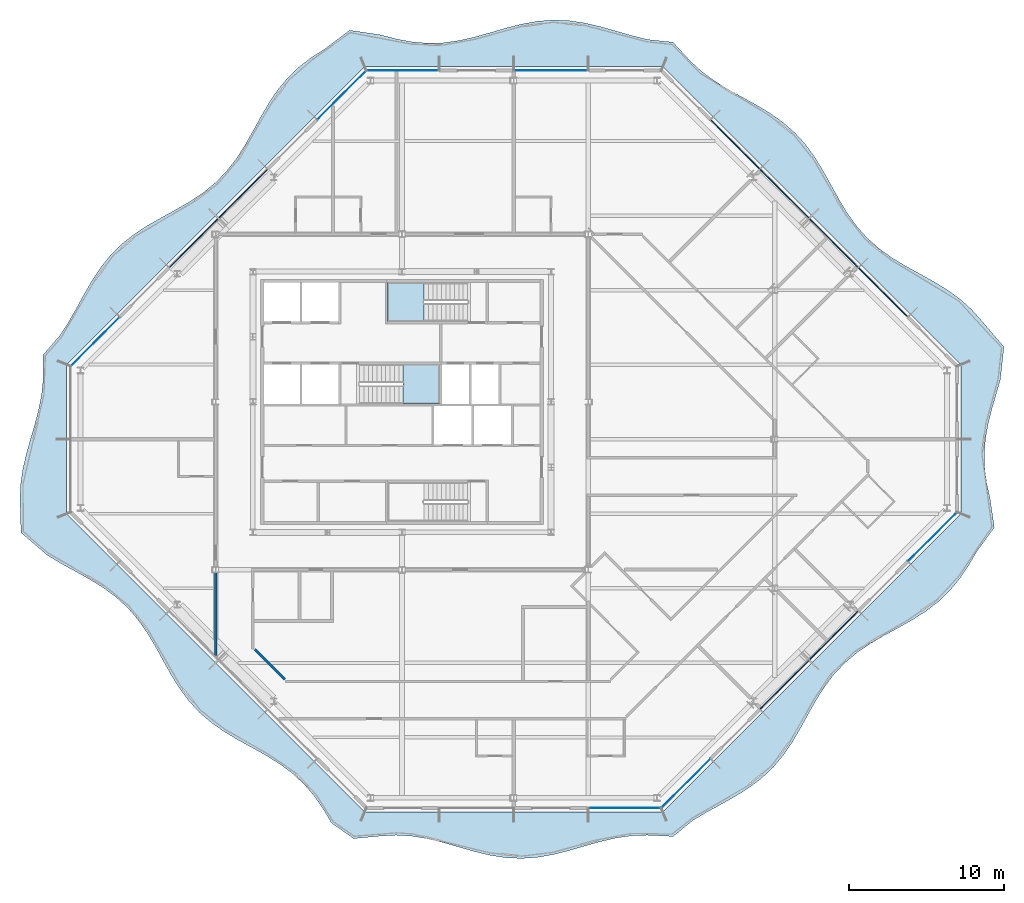
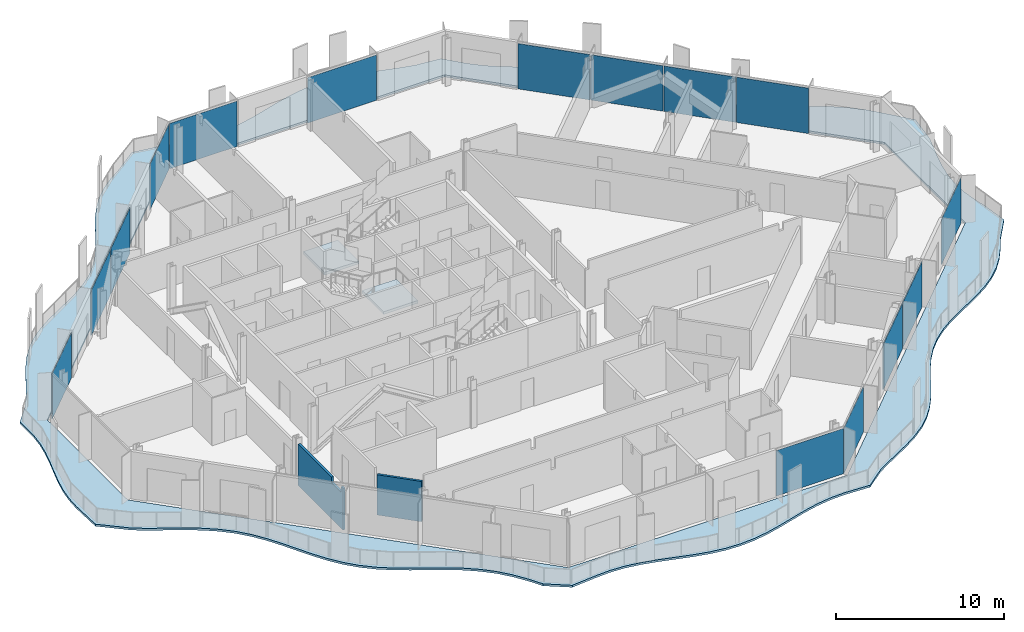
# One storey, part 6 of 17: 15 plates, 3 slabs, 2 walls, 7 elements without a shape of their own.
"""IFC4 building model written with IfcOpenShell, lengths in metres."""

from ifc_helpers import new_model, si_unit, direction, frame, frame_2d, origin, origin_2d, place, context, subcontext, project, spatial, polyline, rectangle, outline, extrude, material, layer, layer_set, type_object, element, aggregate, save


model = new_model("IFC4")

# Units and contexts
model_context = context("Model", 3, precision=1e-05, world=origin(), true_north=direction((0.0, 1.0)))
body_context = subcontext(model_context, "Body", "Model", "MODEL_VIEW")
ifc_project = project(units=[si_unit("LENGTHUNIT", "METRE"), si_unit("AREAUNIT", "SQUARE_METRE"), si_unit("VOLUMEUNIT", "CUBIC_METRE"), si_unit("PLANEANGLEUNIT", "RADIAN"), si_unit("MASSUNIT", "GRAM", prefix="KILO")], contexts=[model_context])

# Site, building, storey
site_placement = place(None, origin())
site = spatial("IfcSite", under=ifc_project, at=site_placement, CompositionType="ELEMENT")
building_placement = place(site_placement, origin())
building = spatial("IfcBuilding", under=site, at=building_placement, Name="Cairn Pilgrim Tower", CompositionType="ELEMENT")
storey_placement = place(building_placement, frame((0.0, 0.0, 239.39990234375)))
storey = spatial("IfcBuildingStorey", under=building, at=storey_placement, Name="L61", CompositionType="ELEMENT", Elevation=239.39990234375)

# Slab
ifc_material_1 = material(Name="Concrete C35/45", Category="concrete")
ifc_layer_1 = layer(ifc_material_1, 0.14990234375)
ifc_layer_set_1 = layer_set([ifc_layer_1], Name="BALCONY SLAB 150 CONCRETE C35/45")
slab_type_1 = type_object("IfcSlabType", Name="BALCONY SLAB 150 CONCRETE C35/45", PredefinedType="FLOOR", material=ifc_layer_set_1)
slab_1_placement = place(storey_placement, frame((0.0, 0.0, -0.14990234375)))
element("IfcSlab", 1, at=slab_1_placement, inside=storey, type_object=slab_type_1, Name="Balcony slab BS-1", PredefinedType="FLOOR", context=body_context, shape_type="SweptSolid", body=[
    extrude(outline(polyline([(2.66064453125, -24.71728515625), (4.087646484375, -25.7197265625), (5.810546875, -25.555908203125), (6.821044921875, -25.5), (7.83154296875, -25.560791015625), (8.842041015625, -25.728515625), (9.8525390625, -25.977294921875), (10.863037109375, -26.2685546875), (11.873779296875, -26.556884765625), (12.88427734375, -26.797607421875), (13.894775390625, -26.953125), (14.9052734375, -26.999267578125), (15.915771484375, -26.92919921875), (16.92626953125, -26.75341796875), (17.936767578125, -26.499267578125), (18.947265625, -26.20654296875), (19.9580078125, -25.920654296875), (20.968505859375, -25.685791015625), (21.97900390625, -25.53857421875), (22.989501953125, -25.501953125), (24.6552734375, -25.581787109375), (25.95849609375, -24.536376953125), (26.8515625, -24.007080078125), (27.76953125, -23.502685546875), (28.680419921875, -22.991455078125), (29.5537109375, -22.442626953125), (30.3642578125, -21.830810546875), (31.0966796875, -21.14111328125), (31.748046875, -20.370361328125), (32.327392578125, -19.52734375), (32.854736328125, -18.632568359375), (33.358642578125, -17.71435546875), (33.87109375, -16.804443359375), (34.42236328125, -15.93359375), (35.037353515625, -15.126220703125), (35.730712890625, -14.397216796875), (36.505126953125, -13.74951171875), (37.350830078125, -13.173095703125), (38.247314453125, -12.6474609375), (39.166015625, -12.143798828125), (40.07470703125, -11.63037109375), (40.943115234375, -11.07666015625), (41.747314453125, -10.458251953125), (42.472412109375, -9.76123046875), (43.11669921875, -8.9833984375), (43.690185546875, -8.134765625), (44.21435546875, -7.236572265625), (45.346435546875, -5.68896484375), (45.080322265625, -3.840087890625), (44.865966796875, -2.8798828125), (44.73388671875, -1.919921875), (44.7021484375, -0.9599609375), (44.775634765625, 0.0), (44.943603515625, 0.9599609375), (45.182861328125, 1.919921875), (45.459716796875, 2.8798828125), (45.735107421875, 3.840087890625), (45.970458984375, 5.947509765625), (44.56640625, 7.588623046875), (43.89892578125, 8.343505859375), (43.14990234375, 9.0166015625), (42.3251953125, 9.614013671875), (41.44189453125, 10.153076171875), (40.527099609375, 10.660400390625), (39.61181640625, 11.167236328125), (38.727294921875, 11.705078125), (37.900634765625, 12.30078125), (37.149658203125, 12.9716796875), (36.47998046875, 13.724365234375), (35.8857421875, 14.552490234375), (35.3486328125, 15.4375), (34.842041015625, 16.353271484375), (34.33447265625, 17.267822265625), (33.794677734375, 18.150146484375), (33.19580078125, 18.9736328125), (32.521240234375, 19.72119140625), (31.764892578125, 20.38720703125), (30.933837890625, 20.978271484375), (30.046630859375, 21.513427734375), (29.13037109375, 22.019287109375), (28.216552734375, 22.527587890625), (27.33642578125, 23.06982421875), (26.51611328125, 23.671630859375), (25.772216796875, 24.349853515625), (24.650146484375, 25.569580078125), (22.989501953125, 25.744384765625), (21.97900390625, 25.997802734375), (20.968505859375, 26.29052734375), (19.9580078125, 26.57666015625), (18.947265625, 26.812255859375), (17.936767578125, 26.96044921875), (16.92626953125, 26.998046875), (15.915771484375, 26.919677734375), (14.9052734375, 26.737060546875), (13.894775390625, 26.478759765625), (12.88427734375, 26.184814453125), (11.873779296875, 25.901123046875), (10.863037109375, 25.671630859375), (9.8525390625, 25.531982421875), (8.842041015625, 25.50390625), (7.83154296875, 25.592041015625), (6.821044921875, 25.7822265625), (5.810546875, 26.045166015625), (3.830810546875, 26.33984375), (2.236572265625, 25.14111328125), (1.3681640625, 24.58740234375), (0.56396484375, 23.96923828125), (-0.161376953125, 23.2724609375), (-0.8056640625, 22.49462890625), (-1.37939453125, 21.64599609375), (-1.903564453125, 20.748046875), (-2.406982421875, 19.8291015625), (-2.921630859375, 18.921630859375), (-3.477783203125, 18.055419921875), (-4.09912109375, 17.254638671875), (-4.7998046875, 16.532958984375), (-5.5810546875, 15.89208984375), (-6.432373046875, 15.3212890625), (-7.33203125, 14.798583984375), (-8.2509765625, 14.29541015625), (-9.1572265625, 13.779541015625), (-10.02099609375, 13.220947265625), (-10.818359375, 12.59619140625), (-11.536376953125, 11.891845703125), (-12.173828125, 11.107177734375), (-12.741943359375, 10.253173828125), (-13.262939453125, 9.351806640625), (-13.76611328125, 8.432861328125), (-14.283203125, 7.52783203125), (-14.844482421875, 6.666748046875), (-15.9169921875, 5.42822265625), (-15.91015625, 3.840087890625), (-16.00732421875, 2.8798828125), (-16.194580078125, 1.919921875), (-16.446044921875, 0.9599609375), (-16.72607421875, 0.0), (-16.995361328125, -0.9599609375), (-17.21630859375, -1.919921875), (-17.357421875, -2.8798828125), (-17.3994140625, -3.840087890625), (-17.336181640625, -6.01611328125), (-15.645263671875, -7.467529296875), (-14.758056640625, -8.002685546875), (-13.841796875, -8.508544921875), (-12.927978515625, -9.016845703125), (-12.0478515625, -9.558837890625), (-11.227294921875, -10.16064453125), (-10.4833984375, -10.8388671875), (-9.82080078125, -11.5986328125), (-9.232421875, -12.432373046875), (-8.69921875, -13.321533203125), (-8.19384765625, -14.23828125), (-7.684814453125, -15.1513671875), (-7.140625, -16.029296875), (-6.53564453125, -16.8466796875), (-5.853759765625, -17.587158203125), (-5.09033203125, -18.24609375), (-4.253662109375, -18.831298828125), (-3.362548828125, -19.362548828125), (-2.4453125, -19.867431640625), (-1.533203125, -20.377685546875), (-0.657470703125, -20.924072265625), (0.15673828125, -21.5322265625), (0.8935546875, -22.2177734375), (1.548828125, -22.984619140625), (2.131103515625, -23.824462890625), (2.66064453125, -24.71728515625)]), holes=[polyline([(24.0, -24.0), (4.800048828125, -24.0), (-14.39990234375, -4.800048828125), (-14.39990234375, 4.800048828125), (4.800048828125, 24.0), (24.0, 24.0), (43.199951171875, 4.800048828125), (43.199951171875, -4.800048828125), (24.0, -24.0)])]), origin(), (0.0, 0.0, 1.0), 0.14990234375),
])

# Curtain wall, plates
ifc_material_2 = material(Name="Aluminium alloy 6063-T6 bronze anodised with Bronze tinted laminated low-E glass 8+16+8.8", Category="aluminium")
curtain_wall_type_1 = type_object("IfcCurtainWallType", Name="CHAMFER CORNER CURTAIN WALL", PredefinedType="NOTDEFINED", material=ifc_material_2)
curtain_wall_1_placement = place(storey_placement, origin())
curtain_wall_1 = element("IfcCurtainWall", 2, at=curtain_wall_1_placement, inside=storey, type_object=curtain_wall_type_1, Name="Chamfer Corner Curtain Wall SE", PredefinedType="NOTDEFINED")
ifc_material_3 = material(Name="Bronze anodised aluminium spandrel panel with mineral wool insulation", Category="aluminium")
ifc_layer_2 = layer(ifc_material_3, 0.06005859375)
ifc_layer_set_2 = layer_set([ifc_layer_2], Name="SPANDREL PANEL 4431x3300")
plate_type_1 = type_object("IfcPlateType", Name="SPANDREL PANEL 4431x3300", PredefinedType="CURTAIN_PANEL", material=ifc_layer_set_2)
plate_1_placement = place(storey_placement, frame((31.83544921875, -15.81103515625, 0.0), z_axis=(0.0, 0.0, 1.0), x_axis=(0.707106781187, 0.707106781187, 0.0)))
plate_1 = element("IfcPlate", 3, at=plate_1_placement, type_object=plate_type_1, Name="Spandrel Panel SE3-1", PredefinedType="CURTAIN_PANEL", context=body_context, shape_type="SweptSolid", body=[
    extrude(rectangle(XDim=4.430908203125, YDim=0.06005859375, at=origin_2d()), origin(), (0.0, 0.0, 1.0), 3.300048828125),
])
plate_2_placement = place(storey_placement, frame((35.010986328125, -12.635498046875, 0.0), z_axis=(0.0, 0.0, 1.0), x_axis=(0.707106781187, 0.707106781187, 0.0)))
plate_2 = element("IfcPlate", 4, at=plate_2_placement, type_object=plate_type_1, Name="Spandrel Panel SE4-1", PredefinedType="CURTAIN_PANEL", context=body_context, shape_type="SweptSolid", body=[
    extrude(rectangle(XDim=4.430908203125, YDim=0.06005859375, at=origin_2d()), origin(), (0.0, 0.0, 1.0), 3.300048828125),
])

curtain_wall_2_placement = place(storey_placement, origin())
curtain_wall_2 = element("IfcCurtainWall", 5, at=curtain_wall_2_placement, inside=storey, type_object=curtain_wall_type_1, Name="Chamfer Corner Curtain Wall NE", PredefinedType="NOTDEFINED")
plate_3_placement = place(storey_placement, frame((38.1865234375, 9.459716796875, 0.0), z_axis=(0.0, 0.0, 1.0), x_axis=(-0.707106781187, 0.707106781187, 0.0)))
plate_3 = element("IfcPlate", 6, at=plate_3_placement, type_object=plate_type_1, Name="Spandrel Panel NE2-1", PredefinedType="CURTAIN_PANEL", context=body_context, shape_type="SweptSolid", body=[
    extrude(rectangle(XDim=4.430908203125, YDim=0.06005859375, at=origin_2d()), origin(), (0.0, 0.0, 1.0), 3.300048828125),
])
plate_4_placement = place(storey_placement, frame((35.010986328125, 12.635498046875, 0.0), z_axis=(0.0, 0.0, 1.0), x_axis=(-0.707106781187, 0.707106781187, 0.0)))
plate_4 = element("IfcPlate", 7, at=plate_4_placement, type_object=plate_type_1, Name="Spandrel Panel NE3-1", PredefinedType="CURTAIN_PANEL", context=body_context, shape_type="SweptSolid", body=[
    extrude(rectangle(XDim=4.430908203125, YDim=0.06005859375, at=origin_2d()), origin(), (0.0, 0.0, 1.0), 3.300048828125),
])
plate_5_placement = place(storey_placement, frame((31.83544921875, 15.81103515625, 0.0), z_axis=(0.0, 0.0, 1.0), x_axis=(-0.707106781187, 0.707106781187, 0.0)))
plate_5 = element("IfcPlate", 8, at=plate_5_placement, type_object=plate_type_1, Name="Spandrel Panel NE4-1", PredefinedType="CURTAIN_PANEL", context=body_context, shape_type="SweptSolid", body=[
    extrude(rectangle(XDim=4.430908203125, YDim=0.06005859375, at=origin_2d()), origin(), (0.0, 0.0, 1.0), 3.300048828125),
])
plate_6_placement = place(storey_placement, frame((28.659912109375, 18.986572265625, 0.0), z_axis=(0.0, 0.0, 1.0), x_axis=(-0.707106781187, 0.707106781187, 0.0)))
plate_6 = element("IfcPlate", 9, at=plate_6_placement, type_object=plate_type_1, Name="Spandrel Panel NE5-1", PredefinedType="CURTAIN_PANEL", context=body_context, shape_type="SweptSolid", body=[
    extrude(rectangle(XDim=4.430908203125, YDim=0.06005859375, at=origin_2d()), origin(), (0.0, 0.0, 1.0), 3.300048828125),
])
aggregate(curtain_wall_2, [plate_3, plate_4, plate_5, plate_6])

curtain_wall_3_placement = place(storey_placement, origin())
curtain_wall_3 = element("IfcCurtainWall", 10, at=curtain_wall_3_placement, inside=storey, type_object=curtain_wall_type_1, Name="Chamfer Corner Curtain Wall NW", PredefinedType="NOTDEFINED")
plate_7_placement = place(storey_placement, frame((-3.035400390625, 15.81103515625, 0.0), z_axis=(0.0, 0.0, 1.0), x_axis=(-0.707106781187, -0.707106781187, 0.0)))
plate_7 = element("IfcPlate", 11, at=plate_7_placement, type_object=plate_type_1, Name="Spandrel Panel NW3-1", PredefinedType="CURTAIN_PANEL", context=body_context, shape_type="SweptSolid", body=[
    extrude(rectangle(XDim=4.430908203125, YDim=0.06005859375, at=origin_2d()), origin(), (0.0, 0.0, 1.0), 3.300048828125),
])
plate_8_placement = place(storey_placement, frame((-6.2109375, 12.635498046875, 0.0), z_axis=(0.0, 0.0, 1.0), x_axis=(-0.707106781187, -0.707106781187, 0.0)))
plate_8 = element("IfcPlate", 12, at=plate_8_placement, type_object=plate_type_1, Name="Spandrel Panel NW4-1", PredefinedType="CURTAIN_PANEL", context=body_context, shape_type="SweptSolid", body=[
    extrude(rectangle(XDim=4.430908203125, YDim=0.06005859375, at=origin_2d()), origin(), (0.0, 0.0, 1.0), 3.300048828125),
])

# Stair, slab
ifc_material_4 = material(Name="Concrete C32/40", Category="concrete")
stair_type = type_object("IfcStairType", Name="EXIT STAIR 1200", PredefinedType="HALF_TURN_STAIR", material=ifc_material_4)
stair_1_placement = place(storey_placement, origin())
stair_1 = element("IfcStair", 13, at=stair_1_placement, inside=storey, type_object=stair_type, Name="L61 Exit Stair B", PredefinedType="HALF_TURN_STAIR")
ifc_layer_3 = layer(ifc_material_4, 0.199951171875)
ifc_layer_set_3 = layer_set([ifc_layer_3], Name="STAIR LANDING 200")
slab_type_2 = type_object("IfcSlabType", Name="STAIR LANDING 200", PredefinedType="LANDING", material=ifc_layer_set_3)
slab_2_placement = place(storey_placement, frame((0.0, 0.0, 1.60009765625)))
slab_2 = element("IfcSlab", 14, at=slab_2_placement, type_object=slab_type_2, Name="ST-B landing 1", PredefinedType="LANDING", context=body_context, shape_type="SweptSolid", body=[
    extrude(outline(polyline([(7.27490234375, 2.27490234375), (9.625, 2.27490234375), (9.625, 4.824951171875), (7.27490234375, 4.824951171875), (7.27490234375, 2.27490234375)])), origin(), (0.0, 0.0, 1.0), 0.199951171875),
])
aggregate(stair_1, [slab_2])

stair_2_placement = place(storey_placement, origin())
stair_2 = element("IfcStair", 15, at=stair_2_placement, inside=storey, type_object=stair_type, Name="L61 Exit Stair C", PredefinedType="HALF_TURN_STAIR")
slab_3_placement = place(storey_placement, frame((0.0, 0.0, 1.60009765625)))
slab_3 = element("IfcSlab", 16, at=slab_3_placement, type_object=slab_type_2, Name="ST-C landing 1", PredefinedType="LANDING", context=body_context, shape_type="SweptSolid", body=[
    extrude(outline(polyline([(8.625, 10.10009765625), (6.27490234375, 10.10009765625), (6.27490234375, 7.574951171875), (8.625, 7.574951171875), (8.625, 10.10009765625)])), origin(), (0.0, 0.0, 1.0), 0.199951171875),
])
aggregate(stair_2, [slab_3])

# Plate
ifc_material_5 = material(Name="Bronze tinted laminated low-E glass 8+16+8.8", Category="glass")
ifc_layer_4 = layer(ifc_material_5, 0.033935546875)
ifc_layer_set_4 = layer_set([ifc_layer_4], Name="VISION GLAZING 4421x3300")
plate_type_2 = type_object("IfcPlateType", Name="VISION GLAZING 4421x3300", PredefinedType="CURTAIN_PANEL", material=ifc_layer_set_4)
plate_9_placement = place(storey_placement, frame((25.48779296875, -22.15869140625, 0.0), z_axis=(0.0, 0.0, 1.0), x_axis=(0.707106781187, 0.707106781187, 0.0)))
plate_9 = element("IfcPlate", 17, at=plate_9_placement, type_object=plate_type_2, Name="Vision Glazing SE1-1", PredefinedType="CURTAIN_PANEL", context=body_context, shape_type="SweptSolid", body=[
    extrude(rectangle(XDim=4.4208984375, YDim=0.033935546875, at=origin_2d()), origin(), (0.0, 0.0, 1.0), 3.300048828125),
])

plate_10_placement = place(storey_placement, frame((41.358642578125, -6.287841796875, 0.0), z_axis=(0.0, 0.0, 1.0), x_axis=(0.707106781187, 0.707106781187, 0.0)))
plate_10 = element("IfcPlate", 18, at=plate_10_placement, type_object=plate_type_2, Name="Vision Glazing SE6-1", PredefinedType="CURTAIN_PANEL", context=body_context, shape_type="SweptSolid", body=[
    extrude(rectangle(XDim=4.4208984375, YDim=0.033935546875, at=origin_2d()), origin(), (0.0, 0.0, 1.0), 3.300048828125),
])

aggregate(curtain_wall_1, [plate_9, plate_1, plate_2, plate_10])

plate_11_placement = place(storey_placement, frame((3.312255859375, 22.15869140625, 0.0), z_axis=(0.0, 0.0, 1.0), x_axis=(-0.707106781187, -0.707106781187, 0.0)))
plate_11 = element("IfcPlate", 19, at=plate_11_placement, type_object=plate_type_2, Name="Vision Glazing NW1-1", PredefinedType="CURTAIN_PANEL", context=body_context, shape_type="SweptSolid", body=[
    extrude(rectangle(XDim=4.4208984375, YDim=0.033935546875, at=origin_2d()), origin(), (0.0, 0.0, 1.0), 3.300048828125),
])

plate_12_placement = place(storey_placement, frame((-12.55859375, 6.287841796875, 0.0), z_axis=(0.0, 0.0, 1.0), x_axis=(-0.707106781187, -0.707106781187, 0.0)))
plate_12 = element("IfcPlate", 20, at=plate_12_placement, type_object=plate_type_2, Name="Vision Glazing NW6-1", PredefinedType="CURTAIN_PANEL", context=body_context, shape_type="SweptSolid", body=[
    extrude(rectangle(XDim=4.4208984375, YDim=0.033935546875, at=origin_2d()), origin(), (0.0, 0.0, 1.0), 3.300048828125),
])

aggregate(curtain_wall_3, [plate_11, plate_7, plate_8, plate_12])

# Curtain wall, plate
curtain_wall_type_2 = type_object("IfcCurtainWallType", Name="TOWER STICK CURTAIN WALL NS", PredefinedType="NOTDEFINED", material=ifc_material_2)
curtain_wall_4_placement = place(storey_placement, origin())
curtain_wall_4 = element("IfcCurtainWall", 21, at=curtain_wall_4_placement, inside=storey, type_object=curtain_wall_type_2, Name="Tower Stick Curtain Wall Ns S", PredefinedType="NOTDEFINED")
ifc_layer_5 = layer(ifc_material_5, 0.033935546875)
ifc_layer_set_5 = layer_set([ifc_layer_5], Name="VISION GLAZING 4626x3300")
plate_type_3 = type_object("IfcPlateType", Name="VISION GLAZING 4626x3300", PredefinedType="CURTAIN_PANEL", material=ifc_layer_set_5)
plate_13_placement = place(storey_placement, frame((21.543212890625, -23.75, 0.0), z_axis=(0.0, 0.0, 1.0), x_axis=(1.0, 0.0, 0.0)))
plate_13 = element("IfcPlate", 22, at=plate_13_placement, type_object=plate_type_3, Name="Vision Glazing S4-1", PredefinedType="CURTAIN_PANEL", context=body_context, shape_type="SweptSolid", body=[
    extrude(rectangle(XDim=4.62646484375, YDim=0.033935546875, at=origin_2d()), origin(), (0.0, 0.0, 1.0), 3.300048828125),
])
aggregate(curtain_wall_4, [plate_13])

# Curtain wall, plates
curtain_wall_5_placement = place(storey_placement, origin())
curtain_wall_5 = element("IfcCurtainWall", 23, at=curtain_wall_5_placement, inside=storey, type_object=curtain_wall_type_2, Name="Tower Stick Curtain Wall Ns N", PredefinedType="NOTDEFINED")
plate_14_placement = place(storey_placement, frame((7.2568359375, 23.75, 0.0), z_axis=(0.0, 0.0, 1.0), x_axis=(-1.0, 0.0, 0.0)))
plate_14 = element("IfcPlate", 24, at=plate_14_placement, type_object=plate_type_3, Name="Vision Glazing N4-1", PredefinedType="CURTAIN_PANEL", context=body_context, shape_type="SweptSolid", body=[
    extrude(rectangle(XDim=4.62646484375, YDim=0.033935546875, at=origin_2d()), origin(), (0.0, 0.0, 1.0), 3.300048828125),
])
ifc_layer_6 = layer(ifc_material_5, 0.033935546875)
ifc_layer_set_6 = layer_set([ifc_layer_6], Name="VISION GLAZING 4740x3300")
plate_type_4 = type_object("IfcPlateType", Name="VISION GLAZING 4740x3300", PredefinedType="CURTAIN_PANEL", material=ifc_layer_set_6)
plate_15_placement = place(storey_placement, frame((16.800048828125, 23.75, 0.0), z_axis=(0.0, 0.0, 1.0), x_axis=(-1.0, 0.0, 0.0)))
plate_15 = element("IfcPlate", 25, at=plate_15_placement, type_object=plate_type_4, Name="Vision Glazing N2-1", PredefinedType="CURTAIN_PANEL", context=body_context, shape_type="SweptSolid", body=[
    extrude(rectangle(XDim=4.739990234375, YDim=0.033935546875, at=origin_2d()), origin(), (0.0, 0.0, 1.0), 3.300048828125),
])
aggregate(curtain_wall_5, [plate_15, plate_14])

# Walls
ifc_material_6 = material(Name="Gypsum partition")
ifc_layer_7 = layer(ifc_material_6, 0.14990234375)
ifc_layer_set_7 = layer_set([ifc_layer_7], Name="PARTITION 150 DRYWALL EI 60")
wall_type = type_object("IfcWallType", Name="PARTITION 150 DRYWALL EI 60", PredefinedType="PARTITIONING", material=ifc_layer_set_7)
wall_1_placement = place(storey_placement, frame((-0.333984375, -15.471923828125, 0.0), z_axis=(0.0, 0.0, 1.0), x_axis=(-0.707106781187, 0.707106781187, 0.0)))
element("IfcWall", 26, at=wall_1_placement, inside=storey, type_object=wall_type, Name="PARTITION W013", PredefinedType="PARTITIONING", context=body_context, shape_type="SweptSolid", body=[
    extrude(rectangle(XDim=2.74072265625, YDim=0.14990234375, at=frame_2d((1.370361328125, 0.0))), origin(), (0.0, 0.0, 1.0), 2.93017578125),
])
wall_2_placement = place(storey_placement, frame((-4.800048828125, -13.926025390625, 0.0), z_axis=(0.0, 0.0, 1.0), x_axis=(0.0, 1.0, 0.0)))
element("IfcWall", 27, at=wall_2_placement, inside=storey, type_object=wall_type, Name="PARTITION W017", PredefinedType="PARTITIONING", context=body_context, shape_type="SweptSolid", body=[
    extrude(outline(polyline([(0.0, 0.0), (5.338623046875, 0.0), (5.338623046875, 3.030029296875), (1.368896484375, 3.030029296875), (1.366943359375, 2.630126953125), (0.22900390625, 2.630126953125), (0.226806640625, 3.030029296875), (0.0, 3.030029296875), (0.0, 0.0)])), frame((0.0, 0.074951171875, 0.0), z_axis=(0.0, -1.0, 0.0), x_axis=(1.0, 0.0, 0.0)), (0.0, 0.0, 1.0), 0.14990234375),
])

save(model, "model.ifc")
